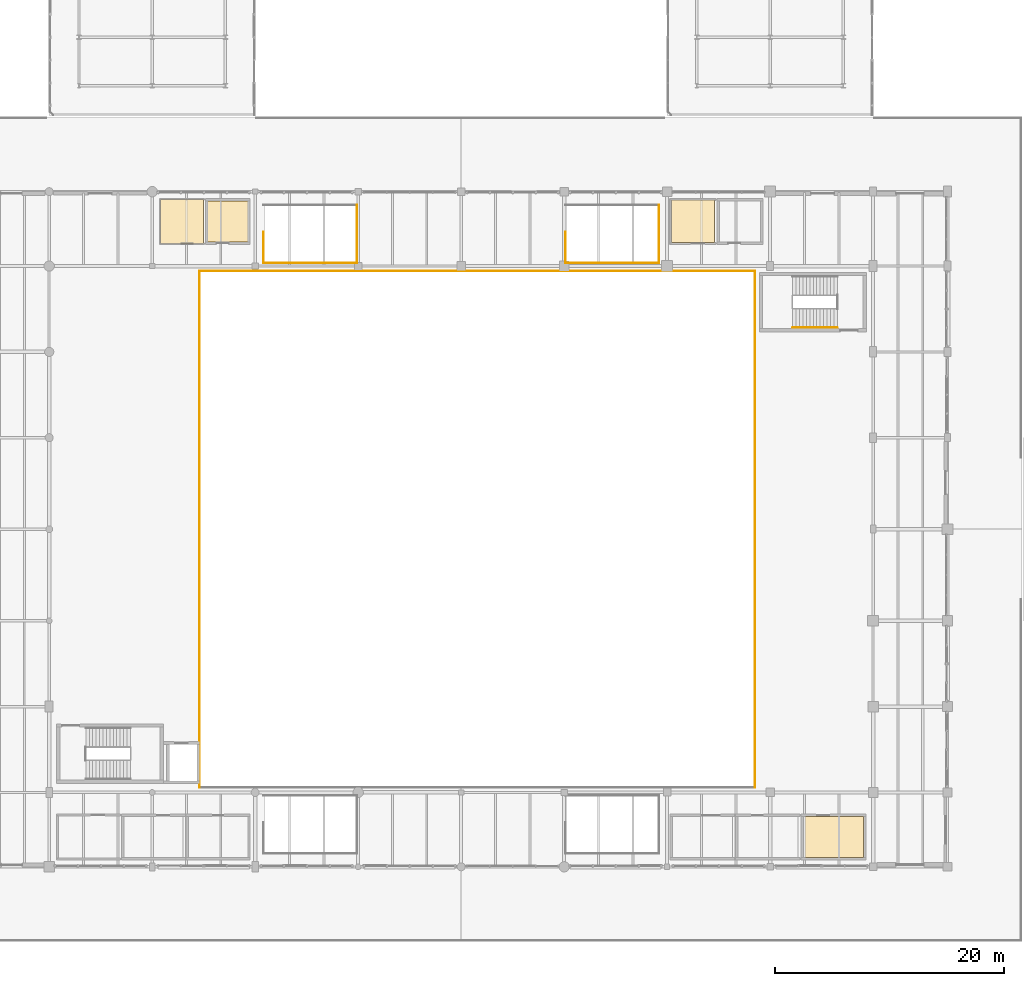
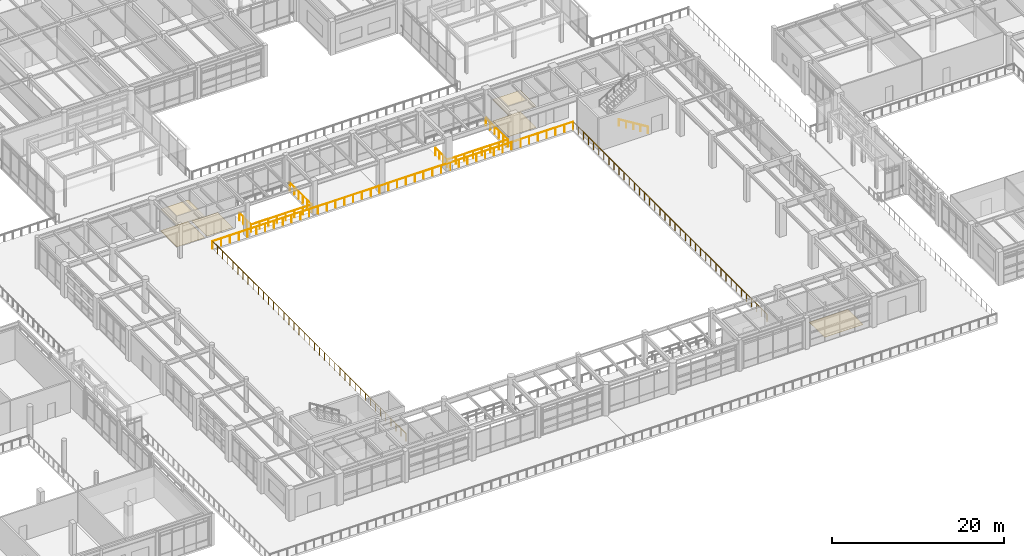
# One storey, part 193 of 200: 10 railings, 6 coverings.
"""IFC4 building model written with IfcOpenShell, lengths in metres."""

import ifcopenshell
import ifcopenshell.guid

model = None  # the IFC model being written
_history = None  # IfcOwnerHistory: only IFC2X3 demands one
_inside = {}  # id of a spatial element -> (the spatial element, [elements in it])
_under = {}  # id of a project, library or spatial element -> (it, [spatial elements below it])
_declared = {}  # id of a project -> (the project, [libraries it declares])
_typed = {}  # id of a type object -> (the type object, [elements of that type])
_made_of = {}  # id of a material, layer set ... -> (it, [elements and type objects made of it])


def new_model(schema):
    """Start an empty IFC model of exactly this schema.

    Asked for "IFC4X3", IfcOpenShell would pick the latest addendum, in which some entities
    have other attributes; the version numbers below select the first issue.
    IFC2X3 requires an IfcOwnerHistory on every rooted entity: one is made here for all.
    """
    global model, _history
    if schema == "IFC4X3":
        model = ifcopenshell.file(schema_version=(4, 3, 0, 0))
    else:
        model = ifcopenshell.file(schema=schema)
    _inside.clear()
    _under.clear()
    _declared.clear()
    _typed.clear()
    _made_of.clear()
    _history = None
    if model.schema == "IFC2X3":
        org = make("IfcOrganization", Name="unknown")
        user = make(
            "IfcPersonAndOrganization",
            ThePerson=make("IfcPerson", FamilyName="unknown"),
            TheOrganization=org,
        )
        app = make(
            "IfcApplication",
            ApplicationDeveloper=org,
            Version="unknown",
            ApplicationFullName="unknown",
            ApplicationIdentifier="unknown",
        )
        _history = make(
            "IfcOwnerHistory",
            OwningUser=user,
            OwningApplication=app,
            ChangeAction="ADDED",
            CreationDate=0,
        )
    return model


def make(cls, **values):
    """One entity of the class cls with the attributes given. An attribute that is None is left unset."""
    return model.create_entity(
        cls, **{name: value for name, value in values.items() if value is not None}
    )


def rooted(cls, **values):
    """An entity with a GlobalId (a new one), such as an element, a storey or a relation."""
    return make(cls, GlobalId=ifcopenshell.guid.new(), OwnerHistory=_history, **values)


def si_unit(unit_type, name, prefix=None):
    """IfcSIUnit, for example si_unit("LENGTHUNIT", "METRE", prefix="MILLI")."""
    return make("IfcSIUnit", UnitType=unit_type, Prefix=prefix, Name=name)


def assignment(units):
    """IfcUnitAssignment: the units of a project."""
    return None if units is None else make("IfcUnitAssignment", Units=units)


def point(xyz):
    """IfcCartesianPoint."""
    return None if xyz is None else make("IfcCartesianPoint", Coordinates=xyz)


def direction(xyz):
    """IfcDirection."""
    return None if xyz is None else make("IfcDirection", DirectionRatios=xyz)


def frame(location, z_axis=None, x_axis=None):
    """IfcAxis2Placement3D, a coordinate frame: its origin and axes. An axis left out is left unset."""
    return make(
        "IfcAxis2Placement3D",
        Location=point(location),
        Axis=direction(z_axis),
        RefDirection=direction(x_axis),
    )


def frame_2d(location, x_axis=None):
    """IfcAxis2Placement2D, a coordinate frame in the plane: its origin and x axis."""
    return make(
        "IfcAxis2Placement2D", Location=point(location), RefDirection=direction(x_axis)
    )


def origin():
    """The frame at (0, 0, 0) with its axes left unset."""
    return frame((0.0, 0.0, 0.0))


def origin_2d():
    """The frame at (0, 0) in the plane with its x axis left unset."""
    return frame_2d((0.0, 0.0))


def place(relative_to, where):
    """IfcLocalPlacement: puts the frame where relative to a parent placement (None: the world)."""
    return make(
        "IfcLocalPlacement", PlacementRelTo=relative_to, RelativePlacement=where
    )


def context(
    kind, dimensions, precision=None, world=None, true_north=None, identifier=None
):
    """IfcGeometricRepresentationContext, for example the 3D "Model" context."""
    return make(
        "IfcGeometricRepresentationContext",
        ContextIdentifier=identifier,
        ContextType=kind,
        CoordinateSpaceDimension=dimensions,
        Precision=precision,
        WorldCoordinateSystem=world,
        TrueNorth=true_north,
    )


def subcontext(parent, identifier, kind, view, scale=None):
    """IfcGeometricRepresentationSubContext, for example "Body" below "Model"."""
    return make(
        "IfcGeometricRepresentationSubContext",
        ContextIdentifier=identifier,
        ContextType=kind,
        ParentContext=parent,
        TargetScale=scale,
        TargetView=view,
    )


def project(units=None, contexts=None):
    """IfcProject with its units and contexts."""
    return rooted(
        "IfcProject",
        Name="project",
        RepresentationContexts=contexts,
        UnitsInContext=assignment(units),
    )


def spatial(cls, under=None, at=None, **own):
    """A site, building, storey or space (cls), placed at a placement, below another one or the project."""
    s = rooted(cls, ObjectPlacement=at, **own)
    if under is not None:
        _under.setdefault(under.id(), (under, []))[1].append(s)
    return s


def polyline(points):
    """IfcPolyline through the points."""
    return make("IfcPolyline", Points=[point(p) for p in points])


def profile(cls, at=None, kind="AREA", **sizes):
    """A parametric profile (cls). Its sizes go by their IFC names, for example OverallWidth=200.0."""
    return make(cls, ProfileType=kind, Position=at, **sizes)


def circle(**sizes):
    """IfcCircleProfileDef."""
    return profile("IfcCircleProfileDef", **sizes)


def outline(outer, holes=None, kind="AREA"):
    """IfcArbitraryClosedProfileDef: a profile drawn as a closed curve; with holes, ...WithVoids."""
    if holes is None:
        return make("IfcArbitraryClosedProfileDef", ProfileType=kind, OuterCurve=outer)
    return make(
        "IfcArbitraryProfileDefWithVoids",
        ProfileType=kind,
        OuterCurve=outer,
        InnerCurves=holes,
    )


def extrude(swept, where, along, depth):
    """IfcExtrudedAreaSolid: the profile swept, set in the frame where, extruded along a direction by depth."""
    return make(
        "IfcExtrudedAreaSolid",
        SweptArea=swept,
        Position=where,
        ExtrudedDirection=direction(along),
        Depth=depth,
    )


def shape(context_of_items, identifier, shape_type, items):
    """IfcShapeRepresentation: the items that make up one representation, for example the "Body"."""
    return make(
        "IfcShapeRepresentation",
        ContextOfItems=context_of_items,
        RepresentationIdentifier=identifier,
        RepresentationType=shape_type,
        Items=items,
    )


def material(Name=None, Category=None):
    """IfcMaterial."""
    return make("IfcMaterial", Name=Name, Category=Category)


def layer(
    of_material, thickness, ventilated=None, Name=None, Category=None, Priority=None
):
    """IfcMaterialLayer: one layer of a wall or slab, of a material (None: an air gap)."""
    return make(
        "IfcMaterialLayer",
        Material=of_material,
        LayerThickness=thickness,
        IsVentilated=ventilated,
        Name=Name,
        Category=Category,
        Priority=Priority,
    )


def layer_set(layers, Name=None):
    """IfcMaterialLayerSet."""
    return make("IfcMaterialLayerSet", MaterialLayers=layers, LayerSetName=Name)


def made_of(thing, what):
    """Note that an element or type object is made of a material, layer set ...; save() writes the relation."""
    if what is not None:
        _made_of.setdefault(what.id(), (what, []))[1].append(thing)
    return thing


def type_object(cls, material=None, **own):
    """A type object (cls), such as IfcWallType, which elements share."""
    return made_of(rooted(cls, **own), material)


def element(
    cls,
    number,
    at=None,
    inside=None,
    cuts=None,
    type_object=None,
    material=None,
    context=None,
    identifier="Body",
    shape_type=None,
    held_by="IfcProductDefinitionShape",
    body=None,
    shapes=None,
    **own,
):
    """One element of the class cls, such as IfcWall. Its Tag is "e" and its number.

    at: its placement. inside: the storey or other place that contains it. cuts: it is an
    opening in that element (IfcRelVoidsElement). A single representation is given by context,
    identifier, shape_type and body (its items); several are given by shapes. held_by: the class
    of the entity that holds the representations. save() writes the other relations.
    """
    e = rooted(cls, Tag="e%d" % number, ObjectPlacement=at, **own)
    if body is not None:
        shapes = [shape(context, identifier, shape_type, body)]
    if shapes is not None:
        e.Representation = make(held_by, Representations=shapes)
    if inside is not None:
        _inside.setdefault(inside.id(), (inside, []))[1].append(e)
    if cuts is not None:
        rooted(
            "IfcRelVoidsElement", RelatingBuildingElement=cuts, RelatedOpeningElement=e
        )
    if type_object is not None:
        _typed.setdefault(type_object.id(), (type_object, []))[1].append(e)
    return made_of(e, material)


def aggregate(whole, parts):
    """IfcRelAggregates: a whole, such as a stair, and the parts it consists of."""
    return rooted("IfcRelAggregates", RelatingObject=whole, RelatedObjects=parts)


def save(model, path):
    """Write the relations noted so far, then the file.

    IfcRelAggregates (storeys below a building ...), IfcRelContainedInSpatialStructure (elements
    in a storey), IfcRelDefinesByType, IfcRelAssociatesMaterial and IfcRelDeclares: one each for
    every whole, place, type object, material and project.
    """
    for whole, parts in _under.values():
        aggregate(whole, parts)
    for where, things in _inside.values():
        rooted(
            "IfcRelContainedInSpatialStructure",
            RelatedElements=things,
            RelatingStructure=where,
        )
    for kind, things in _typed.values():
        rooted("IfcRelDefinesByType", RelatedObjects=things, RelatingType=kind)
    for what, things in _made_of.values():
        rooted("IfcRelAssociatesMaterial", RelatedObjects=things, RelatingMaterial=what)
    for by, libraries in _declared.values():
        rooted("IfcRelDeclares", RelatingContext=by, RelatedDefinitions=libraries)
    model.write(path)


model = new_model("IFC4")

# Units and contexts
model_context = context("Model", 3, precision=1e-05, world=origin(), true_north=direction((0.0, 1.0)))
body_context = subcontext(model_context, "Body", "Model", "MODEL_VIEW")
ifc_project = project(units=[si_unit("LENGTHUNIT", "METRE"), si_unit("AREAUNIT", "SQUARE_METRE"), si_unit("VOLUMEUNIT", "CUBIC_METRE"), si_unit("PLANEANGLEUNIT", "RADIAN"), si_unit("MASSUNIT", "GRAM", prefix="KILO"), si_unit("THERMODYNAMICTEMPERATUREUNIT", "KELVIN"), si_unit("POWERUNIT", "WATT")], contexts=[model_context])

# Site, building, storey
site_placement = place(None, origin())
site = spatial("IfcSite", under=ifc_project, at=site_placement, CompositionType="ELEMENT")
building_placement = place(site_placement, origin())
building = spatial("IfcBuilding", under=site, at=building_placement, Name="Tepalcoro Natatorium and Aquatics Centre", CompositionType="ELEMENT")
storey_placement = place(building_placement, frame((0.0, 0.0, 5.39990234375)))
storey = spatial("IfcBuildingStorey", under=building, at=storey_placement, Name="L01", CompositionType="ELEMENT", Elevation=5.39990234375)

# Railings
ifc_material_1 = material(Name="Marine-Grade Brushed Stainless Steel AISI 316L", Category="steel")
railing_type_1 = type_object("IfcRailingType", Name="BL_GLASS_1100", PredefinedType="BALUSTRADE", material=ifc_material_1)
railing_1_placement = place(storey_placement, frame((114.679931640625, 13.419921875, 0.0)))
element("IfcRailing", 1, at=railing_1_placement, inside=storey, type_object=railing_type_1, Name="V1 L01 Natatorium Pool Hall Overlook Balustrade (E)", PredefinedType="BALUSTRADE", context=body_context, shape_type="SweptSolid", body=[
    extrude(circle(Radius=0.02392578125, at=origin_2d()), frame((0.0, 0.0, 1.09619140625), z_axis=(0.0, 1.0, 0.0), x_axis=(-1.0, 0.0, 0.0)), (0.0, 0.0, 1.0), 45.16015625),
    extrude(circle(Radius=0.02099609375, at=origin_2d()), origin(), (0.0, 0.0, 1.0), 1.072021484375),
    extrude(circle(Radius=0.02099609375, at=origin_2d()), frame((0.0, 1.1884765625, 0.0)), (0.0, 0.0, 1.0), 1.072021484375),
    extrude(circle(Radius=0.02099609375, at=origin_2d()), frame((0.0, 2.376953125, 0.0)), (0.0, 0.0, 1.0), 1.072021484375),
    extrude(circle(Radius=0.02099609375, at=origin_2d()), frame((0.0, 3.565185546875, 0.0)), (0.0, 0.0, 1.0), 1.072021484375),
    extrude(circle(Radius=0.02099609375, at=origin_2d()), frame((0.0, 4.753662109375, 0.0)), (0.0, 0.0, 1.0), 1.072021484375),
    extrude(circle(Radius=0.02099609375, at=origin_2d()), frame((0.0, 5.942138671875, 0.0)), (0.0, 0.0, 1.0), 1.072021484375),
    extrude(circle(Radius=0.02099609375, at=origin_2d()), frame((0.0, 7.130615234375, 0.0)), (0.0, 0.0, 1.0), 1.072021484375),
    extrude(circle(Radius=0.02099609375, at=origin_2d()), frame((0.0, 8.319091796875, 0.0)), (0.0, 0.0, 1.0), 1.072021484375),
    extrude(circle(Radius=0.02099609375, at=origin_2d()), frame((0.0, 9.50732421875, 0.0)), (0.0, 0.0, 1.0), 1.072021484375),
    extrude(circle(Radius=0.02099609375, at=origin_2d()), frame((0.0, 10.69580078125, 0.0)), (0.0, 0.0, 1.0), 1.072021484375),
    extrude(circle(Radius=0.02099609375, at=origin_2d()), frame((0.0, 11.88427734375, 0.0)), (0.0, 0.0, 1.0), 1.072021484375),
    extrude(circle(Radius=0.02099609375, at=origin_2d()), frame((0.0, 13.07275390625, 0.0)), (0.0, 0.0, 1.0), 1.072021484375),
    extrude(circle(Radius=0.02099609375, at=origin_2d()), frame((0.0, 14.260986328125, 0.0)), (0.0, 0.0, 1.0), 1.072021484375),
    extrude(circle(Radius=0.02099609375, at=origin_2d()), frame((0.0, 15.449462890625, 0.0)), (0.0, 0.0, 1.0), 1.072021484375),
    extrude(circle(Radius=0.02099609375, at=origin_2d()), frame((0.0, 16.637939453125, 0.0)), (0.0, 0.0, 1.0), 1.072021484375),
    extrude(circle(Radius=0.02099609375, at=origin_2d()), frame((0.0, 17.826416015625, 0.0)), (0.0, 0.0, 1.0), 1.072021484375),
    extrude(circle(Radius=0.02099609375, at=origin_2d()), frame((0.0, 19.014892578125, 0.0)), (0.0, 0.0, 1.0), 1.072021484375),
    extrude(circle(Radius=0.02099609375, at=origin_2d()), frame((0.0, 20.203125, 0.0)), (0.0, 0.0, 1.0), 1.072021484375),
    extrude(circle(Radius=0.02099609375, at=origin_2d()), frame((0.0, 21.3916015625, 0.0)), (0.0, 0.0, 1.0), 1.072021484375),
    extrude(circle(Radius=0.02099609375, at=origin_2d()), frame((0.0, 22.580078125, 0.0)), (0.0, 0.0, 1.0), 1.072021484375),
    extrude(circle(Radius=0.02099609375, at=origin_2d()), frame((0.0, 23.7685546875, 0.0)), (0.0, 0.0, 1.0), 1.072021484375),
    extrude(circle(Radius=0.02099609375, at=origin_2d()), frame((0.0, 24.95703125, 0.0)), (0.0, 0.0, 1.0), 1.072021484375),
    extrude(circle(Radius=0.02099609375, at=origin_2d()), frame((0.0, 26.145263671875, 0.0)), (0.0, 0.0, 1.0), 1.072021484375),
    extrude(circle(Radius=0.02099609375, at=origin_2d()), frame((0.0, 27.333740234375, 0.0)), (0.0, 0.0, 1.0), 1.072021484375),
    extrude(circle(Radius=0.02099609375, at=origin_2d()), frame((0.0, 28.522216796875, 0.0)), (0.0, 0.0, 1.0), 1.072021484375),
    extrude(circle(Radius=0.02099609375, at=origin_2d()), frame((0.0, 29.710693359375, 0.0)), (0.0, 0.0, 1.0), 1.072021484375),
    extrude(circle(Radius=0.02099609375, at=origin_2d()), frame((0.0, 30.899169921875, 0.0)), (0.0, 0.0, 1.0), 1.072021484375),
    extrude(circle(Radius=0.02099609375, at=origin_2d()), frame((0.0, 32.08740234375, 0.0)), (0.0, 0.0, 1.0), 1.072021484375),
    extrude(circle(Radius=0.02099609375, at=origin_2d()), frame((0.0, 33.27587890625, 0.0)), (0.0, 0.0, 1.0), 1.072021484375),
    extrude(circle(Radius=0.02099609375, at=origin_2d()), frame((0.0, 34.46435546875, 0.0)), (0.0, 0.0, 1.0), 1.072021484375),
    extrude(circle(Radius=0.02099609375, at=origin_2d()), frame((0.0, 35.65283203125, 0.0)), (0.0, 0.0, 1.0), 1.072021484375),
    extrude(circle(Radius=0.02099609375, at=origin_2d()), frame((0.0, 36.841064453125, 0.0)), (0.0, 0.0, 1.0), 1.072021484375),
    extrude(circle(Radius=0.02099609375, at=origin_2d()), frame((0.0, 38.029541015625, 0.0)), (0.0, 0.0, 1.0), 1.072021484375),
    extrude(circle(Radius=0.02099609375, at=origin_2d()), frame((0.0, 39.218017578125, 0.0)), (0.0, 0.0, 1.0), 1.072021484375),
    extrude(circle(Radius=0.02099609375, at=origin_2d()), frame((0.0, 40.406494140625, 0.0)), (0.0, 0.0, 1.0), 1.072021484375),
    extrude(circle(Radius=0.02099609375, at=origin_2d()), frame((0.0, 41.594970703125, 0.0)), (0.0, 0.0, 1.0), 1.072021484375),
    extrude(circle(Radius=0.02099609375, at=origin_2d()), frame((0.0, 42.783203125, 0.0)), (0.0, 0.0, 1.0), 1.072021484375),
    extrude(circle(Radius=0.02099609375, at=origin_2d()), frame((0.0, 43.9716796875, 0.0)), (0.0, 0.0, 1.0), 1.072021484375),
    extrude(circle(Radius=0.02099609375, at=origin_2d()), frame((0.0, 45.16015625, 0.0)), (0.0, 0.0, 1.0), 1.072021484375),
])
railing_2_placement = place(storey_placement, frame((114.679931640625, 58.580078125, 0.0)))
element("IfcRailing", 2, at=railing_2_placement, inside=storey, type_object=railing_type_1, Name="V1 L01 Natatorium Pool Hall Overlook Balustrade (N)", PredefinedType="BALUSTRADE", context=body_context, shape_type="SweptSolid", body=[
    extrude(circle(Radius=0.02392578125, at=origin_2d()), frame((0.0, 0.0, 1.09619140625), z_axis=(-1.0, 0.0, 0.0), x_axis=(0.0, -1.0, 0.0)), (0.0, 0.0, 1.0), 48.559814453125),
    extrude(circle(Radius=0.02099609375, at=origin_2d()), origin(), (0.0, 0.0, 1.0), 1.072021484375),
    extrude(circle(Radius=0.02099609375, at=origin_2d()), frame((-1.184326171875, 0.0, 0.0)), (0.0, 0.0, 1.0), 1.072021484375),
    extrude(circle(Radius=0.02099609375, at=origin_2d()), frame((-2.36865234375, 0.0, 0.0)), (0.0, 0.0, 1.0), 1.072021484375),
    extrude(circle(Radius=0.02099609375, at=origin_2d()), frame((-3.55322265625, 0.0, 0.0)), (0.0, 0.0, 1.0), 1.072021484375),
    extrude(circle(Radius=0.02099609375, at=origin_2d()), frame((-4.737548828125, 0.0, 0.0)), (0.0, 0.0, 1.0), 1.072021484375),
    extrude(circle(Radius=0.02099609375, at=origin_2d()), frame((-5.921875, 0.0, 0.0)), (0.0, 0.0, 1.0), 1.072021484375),
    extrude(circle(Radius=0.02099609375, at=origin_2d()), frame((-7.106201171875, 0.0, 0.0)), (0.0, 0.0, 1.0), 1.072021484375),
    extrude(circle(Radius=0.02099609375, at=origin_2d()), frame((-8.290771484375, 0.0, 0.0)), (0.0, 0.0, 1.0), 1.072021484375),
    extrude(circle(Radius=0.02099609375, at=origin_2d()), frame((-9.47509765625, 0.0, 0.0)), (0.0, 0.0, 1.0), 1.072021484375),
    extrude(circle(Radius=0.02099609375, at=origin_2d()), frame((-10.659423828125, 0.0, 0.0)), (0.0, 0.0, 1.0), 1.072021484375),
    extrude(circle(Radius=0.02099609375, at=origin_2d()), frame((-11.84375, 0.0, 0.0)), (0.0, 0.0, 1.0), 1.072021484375),
    extrude(circle(Radius=0.02099609375, at=origin_2d()), frame((-13.0283203125, 0.0, 0.0)), (0.0, 0.0, 1.0), 1.072021484375),
    extrude(circle(Radius=0.02099609375, at=origin_2d()), frame((-14.212646484375, 0.0, 0.0)), (0.0, 0.0, 1.0), 1.072021484375),
    extrude(circle(Radius=0.02099609375, at=origin_2d()), frame((-15.39697265625, 0.0, 0.0)), (0.0, 0.0, 1.0), 1.072021484375),
    extrude(circle(Radius=0.02099609375, at=origin_2d()), frame((-16.581298828125, 0.0, 0.0)), (0.0, 0.0, 1.0), 1.072021484375),
    extrude(circle(Radius=0.02099609375, at=origin_2d()), frame((-17.765869140625, 0.0, 0.0)), (0.0, 0.0, 1.0), 1.072021484375),
    extrude(circle(Radius=0.02099609375, at=origin_2d()), frame((-18.9501953125, 0.0, 0.0)), (0.0, 0.0, 1.0), 1.072021484375),
    extrude(circle(Radius=0.02099609375, at=origin_2d()), frame((-20.134521484375, 0.0, 0.0)), (0.0, 0.0, 1.0), 1.072021484375),
    extrude(circle(Radius=0.02099609375, at=origin_2d()), frame((-21.31884765625, 0.0, 0.0)), (0.0, 0.0, 1.0), 1.072021484375),
    extrude(circle(Radius=0.02099609375, at=origin_2d()), frame((-22.50341796875, 0.0, 0.0)), (0.0, 0.0, 1.0), 1.072021484375),
    extrude(circle(Radius=0.02099609375, at=origin_2d()), frame((-23.687744140625, 0.0, 0.0)), (0.0, 0.0, 1.0), 1.072021484375),
    extrude(circle(Radius=0.02099609375, at=origin_2d()), frame((-24.8720703125, 0.0, 0.0)), (0.0, 0.0, 1.0), 1.072021484375),
    extrude(circle(Radius=0.02099609375, at=origin_2d()), frame((-26.056396484375, 0.0, 0.0)), (0.0, 0.0, 1.0), 1.072021484375),
    extrude(circle(Radius=0.02099609375, at=origin_2d()), frame((-27.240966796875, 0.0, 0.0)), (0.0, 0.0, 1.0), 1.072021484375),
    extrude(circle(Radius=0.02099609375, at=origin_2d()), frame((-28.42529296875, 0.0, 0.0)), (0.0, 0.0, 1.0), 1.072021484375),
    extrude(circle(Radius=0.02099609375, at=origin_2d()), frame((-29.609619140625, 0.0, 0.0)), (0.0, 0.0, 1.0), 1.072021484375),
    extrude(circle(Radius=0.02099609375, at=origin_2d()), frame((-30.7939453125, 0.0, 0.0)), (0.0, 0.0, 1.0), 1.072021484375),
    extrude(circle(Radius=0.02099609375, at=origin_2d()), frame((-31.978515625, 0.0, 0.0)), (0.0, 0.0, 1.0), 1.072021484375),
    extrude(circle(Radius=0.02099609375, at=origin_2d()), frame((-33.162841796875, 0.0, 0.0)), (0.0, 0.0, 1.0), 1.072021484375),
    extrude(circle(Radius=0.02099609375, at=origin_2d()), frame((-34.34716796875, 0.0, 0.0)), (0.0, 0.0, 1.0), 1.072021484375),
    extrude(circle(Radius=0.02099609375, at=origin_2d()), frame((-35.531494140625, 0.0, 0.0)), (0.0, 0.0, 1.0), 1.072021484375),
    extrude(circle(Radius=0.02099609375, at=origin_2d()), frame((-36.716064453125, 0.0, 0.0)), (0.0, 0.0, 1.0), 1.072021484375),
    extrude(circle(Radius=0.02099609375, at=origin_2d()), frame((-37.900390625, 0.0, 0.0)), (0.0, 0.0, 1.0), 1.072021484375),
    extrude(circle(Radius=0.02099609375, at=origin_2d()), frame((-39.084716796875, 0.0, 0.0)), (0.0, 0.0, 1.0), 1.072021484375),
    extrude(circle(Radius=0.02099609375, at=origin_2d()), frame((-40.26904296875, 0.0, 0.0)), (0.0, 0.0, 1.0), 1.072021484375),
    extrude(circle(Radius=0.02099609375, at=origin_2d()), frame((-41.45361328125, 0.0, 0.0)), (0.0, 0.0, 1.0), 1.072021484375),
    extrude(circle(Radius=0.02099609375, at=origin_2d()), frame((-42.637939453125, 0.0, 0.0)), (0.0, 0.0, 1.0), 1.072021484375),
    extrude(circle(Radius=0.02099609375, at=origin_2d()), frame((-43.822265625, 0.0, 0.0)), (0.0, 0.0, 1.0), 1.072021484375),
    extrude(circle(Radius=0.02099609375, at=origin_2d()), frame((-45.006591796875, 0.0, 0.0)), (0.0, 0.0, 1.0), 1.072021484375),
    extrude(circle(Radius=0.02099609375, at=origin_2d()), frame((-46.191162109375, 0.0, 0.0)), (0.0, 0.0, 1.0), 1.072021484375),
    extrude(circle(Radius=0.02099609375, at=origin_2d()), frame((-47.37548828125, 0.0, 0.0)), (0.0, 0.0, 1.0), 1.072021484375),
    extrude(circle(Radius=0.02099609375, at=origin_2d()), frame((-48.559814453125, 0.0, 0.0)), (0.0, 0.0, 1.0), 1.072021484375),
])
railing_3_placement = place(storey_placement, frame((66.1201171875, 58.580078125, 0.0)))
element("IfcRailing", 3, at=railing_3_placement, inside=storey, type_object=railing_type_1, Name="V1 L01 Natatorium Pool Hall Overlook Balustrade (W)", PredefinedType="BALUSTRADE", context=body_context, shape_type="SweptSolid", body=[
    extrude(circle(Radius=0.02392578125, at=origin_2d()), frame((0.0, 0.0, 1.09619140625), z_axis=(0.0, -1.0, 0.0), x_axis=(1.0, 0.0, 0.0)), (0.0, 0.0, 1.0), 45.16015625),
    extrude(circle(Radius=0.02099609375, at=origin_2d()), origin(), (0.0, 0.0, 1.0), 1.072021484375),
    extrude(circle(Radius=0.02099609375, at=origin_2d()), frame((0.0, -1.1884765625, 0.0)), (0.0, 0.0, 1.0), 1.072021484375),
    extrude(circle(Radius=0.02099609375, at=origin_2d()), frame((0.0, -2.376953125, 0.0)), (0.0, 0.0, 1.0), 1.072021484375),
    extrude(circle(Radius=0.02099609375, at=origin_2d()), frame((0.0, -3.565185546875, 0.0)), (0.0, 0.0, 1.0), 1.072021484375),
    extrude(circle(Radius=0.02099609375, at=origin_2d()), frame((0.0, -4.753662109375, 0.0)), (0.0, 0.0, 1.0), 1.072021484375),
    extrude(circle(Radius=0.02099609375, at=origin_2d()), frame((0.0, -5.942138671875, 0.0)), (0.0, 0.0, 1.0), 1.072021484375),
    extrude(circle(Radius=0.02099609375, at=origin_2d()), frame((0.0, -7.130615234375, 0.0)), (0.0, 0.0, 1.0), 1.072021484375),
    extrude(circle(Radius=0.02099609375, at=origin_2d()), frame((0.0, -8.319091796875, 0.0)), (0.0, 0.0, 1.0), 1.072021484375),
    extrude(circle(Radius=0.02099609375, at=origin_2d()), frame((0.0, -9.50732421875, 0.0)), (0.0, 0.0, 1.0), 1.072021484375),
    extrude(circle(Radius=0.02099609375, at=origin_2d()), frame((0.0, -10.69580078125, 0.0)), (0.0, 0.0, 1.0), 1.072021484375),
    extrude(circle(Radius=0.02099609375, at=origin_2d()), frame((0.0, -11.88427734375, 0.0)), (0.0, 0.0, 1.0), 1.072021484375),
    extrude(circle(Radius=0.02099609375, at=origin_2d()), frame((0.0, -13.07275390625, 0.0)), (0.0, 0.0, 1.0), 1.072021484375),
    extrude(circle(Radius=0.02099609375, at=origin_2d()), frame((0.0, -14.260986328125, 0.0)), (0.0, 0.0, 1.0), 1.072021484375),
    extrude(circle(Radius=0.02099609375, at=origin_2d()), frame((0.0, -15.449462890625, 0.0)), (0.0, 0.0, 1.0), 1.072021484375),
    extrude(circle(Radius=0.02099609375, at=origin_2d()), frame((0.0, -16.637939453125, 0.0)), (0.0, 0.0, 1.0), 1.072021484375),
    extrude(circle(Radius=0.02099609375, at=origin_2d()), frame((0.0, -17.826416015625, 0.0)), (0.0, 0.0, 1.0), 1.072021484375),
    extrude(circle(Radius=0.02099609375, at=origin_2d()), frame((0.0, -19.014892578125, 0.0)), (0.0, 0.0, 1.0), 1.072021484375),
    extrude(circle(Radius=0.02099609375, at=origin_2d()), frame((0.0, -20.203125, 0.0)), (0.0, 0.0, 1.0), 1.072021484375),
    extrude(circle(Radius=0.02099609375, at=origin_2d()), frame((0.0, -21.3916015625, 0.0)), (0.0, 0.0, 1.0), 1.072021484375),
    extrude(circle(Radius=0.02099609375, at=origin_2d()), frame((0.0, -22.580078125, 0.0)), (0.0, 0.0, 1.0), 1.072021484375),
    extrude(circle(Radius=0.02099609375, at=origin_2d()), frame((0.0, -23.7685546875, 0.0)), (0.0, 0.0, 1.0), 1.072021484375),
    extrude(circle(Radius=0.02099609375, at=origin_2d()), frame((0.0, -24.95703125, 0.0)), (0.0, 0.0, 1.0), 1.072021484375),
    extrude(circle(Radius=0.02099609375, at=origin_2d()), frame((0.0, -26.145263671875, 0.0)), (0.0, 0.0, 1.0), 1.072021484375),
    extrude(circle(Radius=0.02099609375, at=origin_2d()), frame((0.0, -27.333740234375, 0.0)), (0.0, 0.0, 1.0), 1.072021484375),
    extrude(circle(Radius=0.02099609375, at=origin_2d()), frame((0.0, -28.522216796875, 0.0)), (0.0, 0.0, 1.0), 1.072021484375),
    extrude(circle(Radius=0.02099609375, at=origin_2d()), frame((0.0, -29.710693359375, 0.0)), (0.0, 0.0, 1.0), 1.072021484375),
    extrude(circle(Radius=0.02099609375, at=origin_2d()), frame((0.0, -30.899169921875, 0.0)), (0.0, 0.0, 1.0), 1.072021484375),
    extrude(circle(Radius=0.02099609375, at=origin_2d()), frame((0.0, -32.08740234375, 0.0)), (0.0, 0.0, 1.0), 1.072021484375),
    extrude(circle(Radius=0.02099609375, at=origin_2d()), frame((0.0, -33.27587890625, 0.0)), (0.0, 0.0, 1.0), 1.072021484375),
    extrude(circle(Radius=0.02099609375, at=origin_2d()), frame((0.0, -34.46435546875, 0.0)), (0.0, 0.0, 1.0), 1.072021484375),
    extrude(circle(Radius=0.02099609375, at=origin_2d()), frame((0.0, -35.65283203125, 0.0)), (0.0, 0.0, 1.0), 1.072021484375),
    extrude(circle(Radius=0.02099609375, at=origin_2d()), frame((0.0, -36.841064453125, 0.0)), (0.0, 0.0, 1.0), 1.072021484375),
    extrude(circle(Radius=0.02099609375, at=origin_2d()), frame((0.0, -38.029541015625, 0.0)), (0.0, 0.0, 1.0), 1.072021484375),
    extrude(circle(Radius=0.02099609375, at=origin_2d()), frame((0.0, -39.218017578125, 0.0)), (0.0, 0.0, 1.0), 1.072021484375),
    extrude(circle(Radius=0.02099609375, at=origin_2d()), frame((0.0, -40.406494140625, 0.0)), (0.0, 0.0, 1.0), 1.072021484375),
    extrude(circle(Radius=0.02099609375, at=origin_2d()), frame((0.0, -41.594970703125, 0.0)), (0.0, 0.0, 1.0), 1.072021484375),
    extrude(circle(Radius=0.02099609375, at=origin_2d()), frame((0.0, -42.783203125, 0.0)), (0.0, 0.0, 1.0), 1.072021484375),
    extrude(circle(Radius=0.02099609375, at=origin_2d()), frame((0.0, -43.9716796875, 0.0)), (0.0, 0.0, 1.0), 1.072021484375),
    extrude(circle(Radius=0.02099609375, at=origin_2d()), frame((0.0, -45.16015625, 0.0)), (0.0, 0.0, 1.0), 1.072021484375),
])

# Coverings
ifc_material_2 = material(Name="Moisture-Resistant Acoustic Gypsum Drywall on Cold-Formed Metal Studs")
ifc_layer_1 = layer(ifc_material_2, 0.030029296875)
ifc_layer_set_1 = layer_set([ifc_layer_1], Name="Moisture-Resistant Acoustic Gypsum Drywall on Cold-Formed Metal Studs")
covering_type_1 = type_object("IfcCoveringType", Name="CL_GYPSUM_30", PredefinedType="CEILING", material=ifc_layer_set_1)
covering_1_placement = place(storey_placement, frame((0.0, 0.0, 3.050048828125)))
element("IfcCovering", 4, at=covering_1_placement, inside=storey, type_object=covering_type_1, Name="Spectator Steward Control & Crowd First Aid Suspended Ceiling", PredefinedType="CEILING", context=body_context, shape_type="SweptSolid", body=[
    extrude(outline(polyline([(107.3798828125, 61.0400390625), (107.3798828125, 64.760009765625), (111.1201171875, 64.760009765625), (111.1201171875, 61.0400390625), (107.3798828125, 61.0400390625)])), origin(), (0.0, 0.0, 1.0), 0.030029296875),
])
ifc_material_3 = material(Name="Perforated Corrosion-Resistant Acoustic Aluminium Baffle Ceiling", Category="aluminium")
ifc_layer_2 = layer(ifc_material_3, 0.0400390625)
ifc_layer_set_2 = layer_set([ifc_layer_2], Name="Perforated Corrosion-Resistant Acoustic Aluminium Baffle Ceiling")
covering_type_2 = type_object("IfcCoveringType", Name="CL_PERF_AL_40", PredefinedType="CEILING", material=ifc_layer_set_2)
covering_2_placement = place(storey_placement, frame((0.0, 0.0, 3.050048828125)))
element("IfcCovering", 5, at=covering_2_placement, inside=storey, type_object=covering_type_2, Name="North Concourse Espresso Bar NW Suspended Ceiling", PredefinedType="CEILING", context=body_context, shape_type="SweptSolid", body=[
    extrude(outline(polyline([(62.72998046875, 60.989990234375), (62.72998046875, 64.81005859375), (66.469970703125, 64.81005859375), (66.469970703125, 60.989990234375), (62.72998046875, 60.989990234375)])), origin(), (0.0, 0.0, 1.0), 0.0400390625),
])
ifc_material_4 = material(Name="Slip-Resistant Porcelain Aquatic Deck Tile")
ifc_layer_3 = layer(ifc_material_4, 0.02197265625)
ifc_layer_set_3 = layer_set([ifc_layer_3], Name="Slip-Resistant Porcelain Aquatic Deck Tile")
covering_type_3 = type_object("IfcCoveringType", Name="FL_DECK_TILE_22", PredefinedType="FLOORING", material=ifc_layer_set_3)
covering_3_placement = place(storey_placement, origin())
element("IfcCovering", 6, at=covering_3_placement, inside=storey, type_object=covering_type_3, Name="Spectator Toilets & Accessible WC NW Floor Finish", PredefinedType="FLOORING", context=body_context, shape_type="SweptSolid", body=[
    extrude(outline(polyline([(66.85009765625, 61.110107421875), (66.85009765625, 64.68994140625), (70.35009765625, 64.68994140625), (70.35009765625, 61.110107421875), (66.85009765625, 61.110107421875)])), origin(), (0.0, 0.0, 1.0), 0.022216796875),
])
ifc_material_5 = material(Name="Shock-Absorbing Vulcanised Athletic Rubber Flooring")
ifc_layer_4 = layer(ifc_material_5, 0.011962890625)
ifc_layer_set_4 = layer_set([ifc_layer_4], Name="Shock-Absorbing Vulcanised Athletic Rubber Flooring")
covering_type_4 = type_object("IfcCoveringType", Name="FL_RUBBER_12", PredefinedType="FLOORING", material=ifc_layer_set_4)
covering_4_placement = place(storey_placement, origin())
element("IfcCovering", 7, at=covering_4_placement, inside=storey, type_object=covering_type_4, Name="Spectator Accessible WC SE Floor Finish", PredefinedType="FLOORING", context=body_context, shape_type="SweptSolid", body=[
    extrude(outline(polyline([(118.9169921875, 7.31005859375), (118.9169921875, 10.889892578125), (124.14990234375, 10.889892578125), (124.14990234375, 7.31005859375), (118.9169921875, 7.31005859375)])), origin(), (0.0, 0.0, 1.0), 0.01220703125),
])
ifc_layer_5 = layer(ifc_material_4, 0.01806640625)
ifc_layer_set_5 = layer_set([ifc_layer_5], Name="Slip-Resistant Porcelain Aquatic Deck Tile")
covering_type_5 = type_object("IfcCoveringType", Name="FL_TILE_18", PredefinedType="FLOORING", material=ifc_layer_set_5)
covering_5_placement = place(storey_placement, origin())
element("IfcCovering", 8, at=covering_5_placement, inside=storey, type_object=covering_type_5, Name="North Concourse Espresso Bar NW Floor Finish", PredefinedType="FLOORING", context=body_context, shape_type="SweptSolid", body=[
    extrude(outline(polyline([(62.72998046875, 60.989990234375), (62.72998046875, 64.81005859375), (66.469970703125, 64.81005859375), (66.469970703125, 60.989990234375), (62.72998046875, 60.989990234375)])), origin(), (0.0, 0.0, 1.0), 0.01806640625),
])
ifc_material_6 = material(Name="Sprung Maple Sports Floor Assembly")
ifc_layer_6 = layer(ifc_material_6, 0.02392578125)
ifc_layer_set_6 = layer_set([ifc_layer_6], Name="Sprung Maple Sports Floor Assembly")
covering_type_6 = type_object("IfcCoveringType", Name="FL_WOOD_22", PredefinedType="FLOORING", material=ifc_layer_set_6)
covering_6_placement = place(storey_placement, origin())
element("IfcCovering", 9, at=covering_6_placement, inside=storey, type_object=covering_type_6, Name="Spectator Steward Control & Crowd First Aid Floor Finish", PredefinedType="FLOORING", context=body_context, shape_type="SweptSolid", body=[
    extrude(outline(polyline([(107.3798828125, 61.0400390625), (107.3798828125, 64.760009765625), (111.1201171875, 64.760009765625), (111.1201171875, 61.0400390625), (107.3798828125, 61.0400390625)])), origin(), (0.0, 0.0, 1.0), 0.024169921875),
])

# Railings
ifc_material_7 = material(Name="Bronze-Anodised Extruded Aluminium Alloy EN AW-6063 T6", Category="aluminium")
railing_type_2 = type_object("IfcRailingType", Name="RL_HAND_900_BRZ", PredefinedType="HANDRAIL", material=ifc_material_7)
railing_4_placement = place(storey_placement, frame((121.8701171875, 53.610107421875, 0.0)))
element("IfcRailing", 10, at=railing_4_placement, inside=storey, type_object=railing_type_2, Name="ST02-L01 Wall Handrail F1", PredefinedType="HANDRAIL", context=body_context, shape_type="SweptSolid", body=[
    extrude(circle(Radius=0.02392578125, at=origin_2d()), frame((0.0, 0.0, 0.8759765625), z_axis=(-0.851652825334, 0.0, 0.524106349037), x_axis=(0.0, -1.0, 0.0)), (0.0, 0.0, 1.0), 4.57958984375),
    extrude(circle(Radius=0.02099609375, at=origin_2d()), origin(), (0.0, 0.0, 1.0), 0.851806640625),
    extrude(circle(Radius=0.02099609375, at=origin_2d()), frame((-0.97509765625, 0.0, 0.60009765625)), (0.0, 0.0, 1.0), 0.851806640625),
    extrude(circle(Radius=0.02099609375, at=origin_2d()), frame((-1.9501953125, 0.0, 1.2001953125)), (0.0, 0.0, 1.0), 0.851806640625),
    extrude(circle(Radius=0.02099609375, at=origin_2d()), frame((-2.925048828125, 0.0, 1.800048828125)), (0.0, 0.0, 1.0), 0.851806640625),
    extrude(circle(Radius=0.02099609375, at=origin_2d()), frame((-3.900146484375, 0.0, 2.400146484375)), (0.0, 0.0, 1.0), 0.851806640625),
])
railing_type_3 = type_object("IfcRailingType", Name="RL_SS_1100", PredefinedType="GUARDRAIL", material=ifc_material_1)
railing_5_placement = place(storey_placement, frame((71.719970703125, 59.27001953125, 0.0)))
element("IfcRailing", 11, at=railing_5_placement, inside=storey, type_object=railing_type_3, Name="Spectator Vomitory Well Guard 3 (S)", PredefinedType="GUARDRAIL", context=body_context, shape_type="SweptSolid", body=[
    extrude(circle(Radius=0.02392578125, at=origin_2d()), frame((0.0, 0.0, 1.076171875), z_axis=(1.0, 0.0, 0.0), x_axis=(0.0, 1.0, 0.0)), (0.0, 0.0, 1.0), 8.159912109375),
    extrude(circle(Radius=0.02099609375, at=origin_2d()), origin(), (0.0, 0.0, 1.0), 1.052001953125),
    extrude(circle(Radius=0.02099609375, at=origin_2d()), frame((1.165771484375, 0.0, 0.0)), (0.0, 0.0, 1.0), 1.052001953125),
    extrude(circle(Radius=0.02099609375, at=origin_2d()), frame((2.331298828125, 0.0, 0.0)), (0.0, 0.0, 1.0), 1.052001953125),
    extrude(circle(Radius=0.02099609375, at=origin_2d()), frame((3.4970703125, 0.0, 0.0)), (0.0, 0.0, 1.0), 1.052001953125),
    extrude(circle(Radius=0.02099609375, at=origin_2d()), frame((4.662841796875, 0.0, 0.0)), (0.0, 0.0, 1.0), 1.052001953125),
    extrude(circle(Radius=0.02099609375, at=origin_2d()), frame((5.82861328125, 0.0, 0.0)), (0.0, 0.0, 1.0), 1.052001953125),
    extrude(circle(Radius=0.02099609375, at=origin_2d()), frame((6.994140625, 0.0, 0.0)), (0.0, 0.0, 1.0), 1.052001953125),
    extrude(circle(Radius=0.02099609375, at=origin_2d()), frame((8.159912109375, 0.0, 0.0)), (0.0, 0.0, 1.0), 1.052001953125),
])
railing_6_placement = place(storey_placement, frame((79.8798828125, 59.27001953125, 0.0)))
element("IfcRailing", 12, at=railing_6_placement, inside=storey, type_object=railing_type_3, Name="Spectator Vomitory Well Guard 3 (E)", PredefinedType="GUARDRAIL", context=body_context, shape_type="SweptSolid", body=[
    extrude(circle(Radius=0.02392578125, at=origin_2d()), frame((0.0, 0.0, 1.076171875), z_axis=(0.0, 1.0, 0.0), x_axis=(-1.0, 0.0, 0.0)), (0.0, 0.0, 1.0), 5.06005859375),
    extrude(circle(Radius=0.02099609375, at=origin_2d()), origin(), (0.0, 0.0, 1.0), 1.052001953125),
    extrude(circle(Radius=0.02099609375, at=origin_2d()), frame((0.0, 1.011962890625, 0.0)), (0.0, 0.0, 1.0), 1.052001953125),
    extrude(circle(Radius=0.02099609375, at=origin_2d()), frame((0.0, 2.02392578125, 0.0)), (0.0, 0.0, 1.0), 1.052001953125),
    extrude(circle(Radius=0.02099609375, at=origin_2d()), frame((0.0, 3.0361328125, 0.0)), (0.0, 0.0, 1.0), 1.052001953125),
    extrude(circle(Radius=0.02099609375, at=origin_2d()), frame((0.0, 4.048095703125, 0.0)), (0.0, 0.0, 1.0), 1.052001953125),
    extrude(circle(Radius=0.02099609375, at=origin_2d()), frame((0.0, 5.06005859375, 0.0)), (0.0, 0.0, 1.0), 1.052001953125),
])
railing_7_placement = place(storey_placement, frame((71.719970703125, 61.97998046875, 0.0)))
element("IfcRailing", 13, at=railing_7_placement, inside=storey, type_object=railing_type_3, Name="Spectator Vomitory Well Guard 3 (W-1)", PredefinedType="GUARDRAIL", context=body_context, shape_type="SweptSolid", body=[
    extrude(circle(Radius=0.02392578125, at=origin_2d()), frame((0.0, 0.0, 1.076171875), z_axis=(0.0, -1.0, 0.0), x_axis=(1.0, 0.0, 0.0)), (0.0, 0.0, 1.0), 2.7099609375),
    extrude(circle(Radius=0.02099609375, at=origin_2d()), origin(), (0.0, 0.0, 1.0), 1.052001953125),
    extrude(circle(Radius=0.02099609375, at=origin_2d()), frame((0.0, -0.9033203125, 0.0)), (0.0, 0.0, 1.0), 1.052001953125),
    extrude(circle(Radius=0.02099609375, at=origin_2d()), frame((0.0, -1.806640625, 0.0)), (0.0, 0.0, 1.0), 1.052001953125),
    extrude(circle(Radius=0.02099609375, at=origin_2d()), frame((0.0, -2.7099609375, 0.0)), (0.0, 0.0, 1.0), 1.052001953125),
])
railing_8_placement = place(storey_placement, frame((98.1201171875, 59.27001953125, 0.0)))
element("IfcRailing", 14, at=railing_8_placement, inside=storey, type_object=railing_type_3, Name="Spectator Vomitory Well Guard 4 (S)", PredefinedType="GUARDRAIL", context=body_context, shape_type="SweptSolid", body=[
    extrude(circle(Radius=0.02392578125, at=origin_2d()), frame((0.0, 0.0, 1.076171875), z_axis=(1.0, 0.0, 0.0), x_axis=(0.0, 1.0, 0.0)), (0.0, 0.0, 1.0), 8.159912109375),
    extrude(circle(Radius=0.02099609375, at=origin_2d()), origin(), (0.0, 0.0, 1.0), 1.052001953125),
    extrude(circle(Radius=0.02099609375, at=origin_2d()), frame((1.165771484375, 0.0, 0.0)), (0.0, 0.0, 1.0), 1.052001953125),
    extrude(circle(Radius=0.02099609375, at=origin_2d()), frame((2.331298828125, 0.0, 0.0)), (0.0, 0.0, 1.0), 1.052001953125),
    extrude(circle(Radius=0.02099609375, at=origin_2d()), frame((3.4970703125, 0.0, 0.0)), (0.0, 0.0, 1.0), 1.052001953125),
    extrude(circle(Radius=0.02099609375, at=origin_2d()), frame((4.662841796875, 0.0, 0.0)), (0.0, 0.0, 1.0), 1.052001953125),
    extrude(circle(Radius=0.02099609375, at=origin_2d()), frame((5.82861328125, 0.0, 0.0)), (0.0, 0.0, 1.0), 1.052001953125),
    extrude(circle(Radius=0.02099609375, at=origin_2d()), frame((6.994140625, 0.0, 0.0)), (0.0, 0.0, 1.0), 1.052001953125),
    extrude(circle(Radius=0.02099609375, at=origin_2d()), frame((8.159912109375, 0.0, 0.0)), (0.0, 0.0, 1.0), 1.052001953125),
])
railing_9_placement = place(storey_placement, frame((106.280029296875, 59.27001953125, 0.0)))
element("IfcRailing", 15, at=railing_9_placement, inside=storey, type_object=railing_type_3, Name="Spectator Vomitory Well Guard 4 (E)", PredefinedType="GUARDRAIL", context=body_context, shape_type="SweptSolid", body=[
    extrude(circle(Radius=0.02392578125, at=origin_2d()), frame((0.0, 0.0, 1.076171875), z_axis=(0.0, 1.0, 0.0), x_axis=(-1.0, 0.0, 0.0)), (0.0, 0.0, 1.0), 5.06005859375),
    extrude(circle(Radius=0.02099609375, at=origin_2d()), origin(), (0.0, 0.0, 1.0), 1.052001953125),
    extrude(circle(Radius=0.02099609375, at=origin_2d()), frame((0.0, 1.011962890625, 0.0)), (0.0, 0.0, 1.0), 1.052001953125),
    extrude(circle(Radius=0.02099609375, at=origin_2d()), frame((0.0, 2.02392578125, 0.0)), (0.0, 0.0, 1.0), 1.052001953125),
    extrude(circle(Radius=0.02099609375, at=origin_2d()), frame((0.0, 3.0361328125, 0.0)), (0.0, 0.0, 1.0), 1.052001953125),
    extrude(circle(Radius=0.02099609375, at=origin_2d()), frame((0.0, 4.048095703125, 0.0)), (0.0, 0.0, 1.0), 1.052001953125),
    extrude(circle(Radius=0.02099609375, at=origin_2d()), frame((0.0, 5.06005859375, 0.0)), (0.0, 0.0, 1.0), 1.052001953125),
])
railing_10_placement = place(storey_placement, frame((98.1201171875, 61.97998046875, 0.0)))
element("IfcRailing", 16, at=railing_10_placement, inside=storey, type_object=railing_type_3, Name="Spectator Vomitory Well Guard 4 (W-1)", PredefinedType="GUARDRAIL", context=body_context, shape_type="SweptSolid", body=[
    extrude(circle(Radius=0.02392578125, at=origin_2d()), frame((0.0, 0.0, 1.076171875), z_axis=(0.0, -1.0, 0.0), x_axis=(1.0, 0.0, 0.0)), (0.0, 0.0, 1.0), 2.7099609375),
    extrude(circle(Radius=0.02099609375, at=origin_2d()), origin(), (0.0, 0.0, 1.0), 1.052001953125),
    extrude(circle(Radius=0.02099609375, at=origin_2d()), frame((0.0, -0.9033203125, 0.0)), (0.0, 0.0, 1.0), 1.052001953125),
    extrude(circle(Radius=0.02099609375, at=origin_2d()), frame((0.0, -1.806640625, 0.0)), (0.0, 0.0, 1.0), 1.052001953125),
    extrude(circle(Radius=0.02099609375, at=origin_2d()), frame((0.0, -2.7099609375, 0.0)), (0.0, 0.0, 1.0), 1.052001953125),
])

save(model, "model.ifc")
